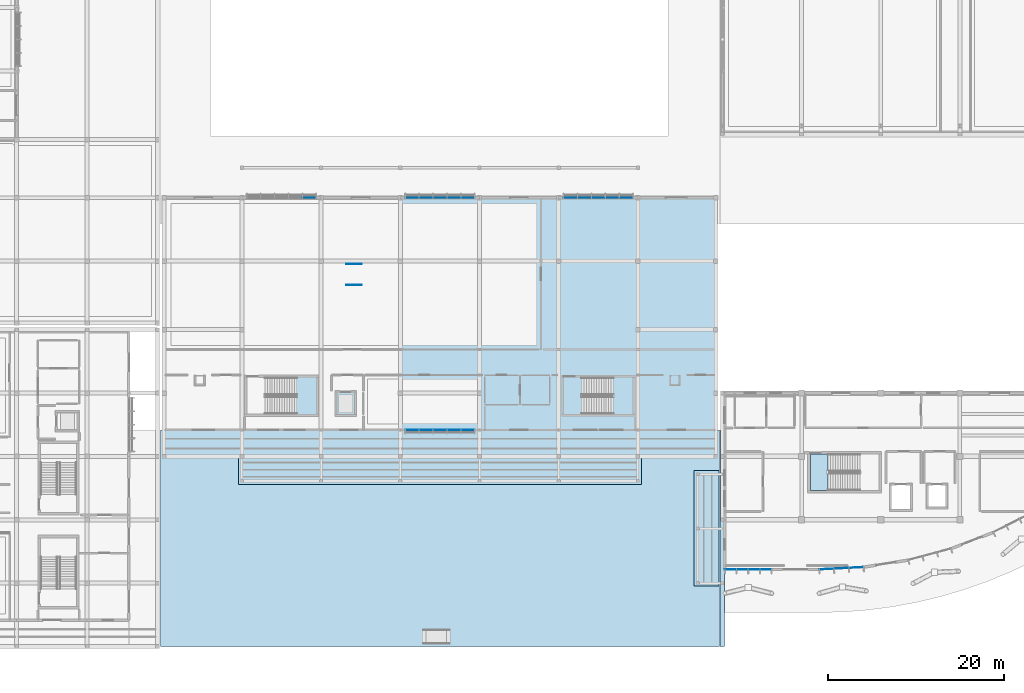
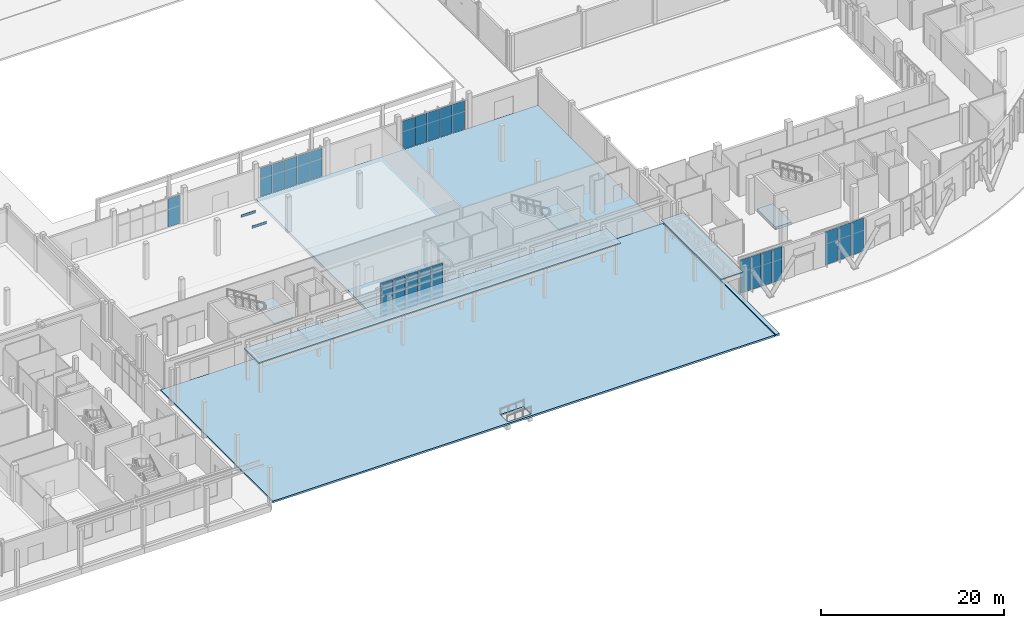
# One storey, part 107 of 151: 25 plates, 9 slabs, 8 elements without a shape of their own.
"""IFC4 building model written with IfcOpenShell, lengths in metres."""

from ifc_helpers import new_model, si_unit, direction, frame, origin, origin_2d, place, context, subcontext, project, spatial, polyline, rectangle, outline, extrude, material, layer, layer_set, type_object, element, aggregate, save


model = new_model("IFC4")

# Units and contexts
model_context = context("Model", 3, precision=1e-05, world=origin(), true_north=direction((0.0, 1.0)))
body_context = subcontext(model_context, "Body", "Model", "MODEL_VIEW")
ifc_project = project(units=[si_unit("LENGTHUNIT", "METRE"), si_unit("AREAUNIT", "SQUARE_METRE"), si_unit("VOLUMEUNIT", "CUBIC_METRE"), si_unit("PLANEANGLEUNIT", "RADIAN"), si_unit("MASSUNIT", "GRAM", prefix="KILO")], contexts=[model_context])

# Site, building, storey
site_placement = place(None, origin())
site = spatial("IfcSite", under=ifc_project, at=site_placement, CompositionType="ELEMENT")
building_placement = place(site_placement, origin())
building = spatial("IfcBuilding", under=site, at=building_placement, Name="Chiffa Square Polytechnic", CompositionType="ELEMENT")
storey_placement = place(building_placement, origin())
storey = spatial("IfcBuildingStorey", under=building, at=storey_placement, Name="L00", CompositionType="ELEMENT", Elevation=0.0)

# Curtain wall, plates
ifc_material_1 = material(Name="Aluminium EN AW-6060 T66 and glulam shading", Category="wood")
curtain_wall_type_1 = type_object("IfcCurtainWallType", Name="CW-VERT-600X380", PredefinedType="USERDEFINED", material=ifc_material_1)
curtain_wall_1_placement = place(storey_placement, origin())
curtain_wall_1 = element("IfcCurtainWall", 1, at=curtain_wall_1_placement, inside=storey, type_object=curtain_wall_type_1, Name="Curtain wall CW-V4-L00-180", ObjectType="CURTAIN WALL", PredefinedType="USERDEFINED")
ifc_material_2 = material(Name="Double glazing", Category="glass")
ifc_layer_1 = layer(ifc_material_2, 0.035888671875, Name="Double glazing")
ifc_layer_set_1 = layer_set([ifc_layer_1], Name="Double glazing")
plate_type_1 = type_object("IfcPlateType", Name="CWP-GLZ-120X145", PredefinedType="CURTAIN_PANEL", material=ifc_layer_set_1)
plate_1_placement = place(storey_placement, frame((101.257080078125, 51.0, 0.04931640625), z_axis=(0.0, 0.0, 1.0), x_axis=(-1.0, 0.0, 0.0)))
plate_1 = element("IfcPlate", 2, at=plate_1_placement, type_object=plate_type_1, Name="Glazed curtain panel CW-V4-L00-180-PN01", PredefinedType="CURTAIN_PANEL", context=body_context, shape_type="SweptSolid", body=[
    extrude(rectangle(XDim=1.510009765625, YDim=0.035888671875, at=origin_2d()), origin(), (0.0, 0.0, 1.0), 3.804931640625),
])
plate_2_placement = place(storey_placement, frame((99.68408203125, 51.0, 0.04931640625), z_axis=(0.0, 0.0, 1.0), x_axis=(-1.0, 0.0, 0.0)))
plate_2 = element("IfcPlate", 3, at=plate_2_placement, type_object=plate_type_1, Name="Glazed curtain panel CW-V4-L00-180-PN02", PredefinedType="CURTAIN_PANEL", context=body_context, shape_type="SweptSolid", body=[
    extrude(rectangle(XDim=1.531982421875, YDim=0.035888671875, at=origin_2d()), origin(), (0.0, 0.0, 1.0), 3.804931640625),
])
plate_3_placement = place(storey_placement, frame((98.10009765625, 51.0, 0.04931640625), z_axis=(0.0, 0.0, 1.0), x_axis=(-1.0, 0.0, 0.0)))
plate_3 = element("IfcPlate", 4, at=plate_3_placement, type_object=plate_type_1, Name="Glazed curtain panel CW-V4-L00-180-PN03", PredefinedType="CURTAIN_PANEL", context=body_context, shape_type="SweptSolid", body=[
    extrude(rectangle(XDim=1.531982421875, YDim=0.035888671875, at=origin_2d()), origin(), (0.0, 0.0, 1.0), 3.804931640625),
])
plate_4_placement = place(storey_placement, frame((96.51611328125, 51.0, 0.04931640625), z_axis=(0.0, 0.0, 1.0), x_axis=(-1.0, 0.0, 0.0)))
plate_4 = element("IfcPlate", 5, at=plate_4_placement, type_object=plate_type_1, Name="Glazed curtain panel CW-V4-L00-180-PN04", PredefinedType="CURTAIN_PANEL", context=body_context, shape_type="SweptSolid", body=[
    extrude(rectangle(XDim=1.531982421875, YDim=0.035888671875, at=origin_2d()), origin(), (0.0, 0.0, 1.0), 3.804931640625),
])
plate_5_placement = place(storey_placement, frame((94.943115234375, 51.0, 0.04931640625), z_axis=(0.0, 0.0, 1.0), x_axis=(-1.0, 0.0, 0.0)))
plate_5 = element("IfcPlate", 6, at=plate_5_placement, type_object=plate_type_1, Name="Glazed curtain panel CW-V4-L00-180-PN05", PredefinedType="CURTAIN_PANEL", context=body_context, shape_type="SweptSolid", body=[
    extrude(rectangle(XDim=1.510009765625, YDim=0.035888671875, at=origin_2d()), origin(), (0.0, 0.0, 1.0), 3.804931640625),
])
aggregate(curtain_wall_1, [plate_1, plate_2, plate_3, plate_4, plate_5])

curtain_wall_type_2 = type_object("IfcCurtainWallType", Name="CW-VERT-450X380", PredefinedType="USERDEFINED", material=ifc_material_1)
curtain_wall_2_placement = place(storey_placement, origin())
curtain_wall_2 = element("IfcCurtainWall", 7, at=curtain_wall_2_placement, inside=storey, type_object=curtain_wall_type_2, Name="Curtain wall CW-V1-L00-002", ObjectType="CURTAIN WALL", PredefinedType="USERDEFINED")
ifc_layer_2 = layer(ifc_material_2, 0.0400390625, Name="Double glazing")
ifc_layer_set_2 = layer_set([ifc_layer_2], Name="Double glazing")
plate_type_2 = type_object("IfcPlateType", Name="CWP-GLZ-144X134", PredefinedType="CURTAIN_PANEL", material=ifc_layer_set_2)
plate_6_placement = place(storey_placement, frame((124.05810546875, 8.794921875, 0.029541015625), z_axis=(0.0, 0.0, 1.0), x_axis=(0.99863227369, 0.052283668051, 0.0)))
plate_6 = element("IfcPlate", 8, at=plate_6_placement, type_object=plate_type_2, Name="Glazed curtain panel CW-V1-L00-002-PN01", PredefinedType="CURTAIN_PANEL", context=body_context, shape_type="SweptSolid", body=[
    extrude(rectangle(XDim=1.6220703125, YDim=0.0400390625, at=origin_2d()), origin(), (0.0, 0.0, 1.0), 4.455078125),
])
plate_7_placement = place(storey_placement, frame((125.739990234375, 8.883056640625, 0.029541015625), z_axis=(0.0, 0.0, 1.0), x_axis=(0.99863227369, 0.052283668051, 0.0)))
plate_7 = element("IfcPlate", 9, at=plate_7_placement, type_object=plate_type_2, Name="Glazed curtain panel CW-V1-L00-002-PN02", PredefinedType="CURTAIN_PANEL", context=body_context, shape_type="SweptSolid", body=[
    extrude(rectangle(XDim=1.64404296875, YDim=0.0400390625, at=origin_2d()), origin(), (0.0, 0.0, 1.0), 4.455078125),
])
plate_8_placement = place(storey_placement, frame((127.422119140625, 8.970947265625, 0.029541015625), z_axis=(0.0, 0.0, 1.0), x_axis=(0.99863227369, 0.052283668051, 0.0)))
plate_8 = element("IfcPlate", 10, at=plate_8_placement, type_object=plate_type_2, Name="Glazed curtain panel CW-V1-L00-002-PN03", PredefinedType="CURTAIN_PANEL", context=body_context, shape_type="SweptSolid", body=[
    extrude(rectangle(XDim=1.6220703125, YDim=0.0400390625, at=origin_2d()), origin(), (0.0, 0.0, 1.0), 4.455078125),
])
aggregate(curtain_wall_2, [plate_6, plate_7, plate_8])

curtain_wall_type_3 = type_object("IfcCurtainWallType", Name="CW-VERT-600X440", PredefinedType="USERDEFINED", material=ifc_material_1)
curtain_wall_3_placement = place(storey_placement, origin())
curtain_wall_3 = element("IfcCurtainWall", 11, at=curtain_wall_3_placement, inside=storey, type_object=curtain_wall_type_3, Name="Curtain wall CW-V1-L00-001", ObjectType="CURTAIN WALL", PredefinedType="USERDEFINED")
ifc_layer_3 = layer(ifc_material_2, 0.0380859375, Name="Double glazing")
ifc_layer_set_3 = layer_set([ifc_layer_3], Name="Double glazing")
plate_type_3 = type_object("IfcPlateType", Name="CWP-GLZ-146X138", PredefinedType="CURTAIN_PANEL", material=ifc_layer_set_3)
plate_9_placement = place(storey_placement, frame((113.133056640625, 8.75, 0.029541015625), z_axis=(0.0, 0.0, 1.0), x_axis=(1.0, 0.0, 0.0)))
plate_9 = element("IfcPlate", 12, at=plate_9_placement, type_object=plate_type_3, Name="Glazed curtain panel CW-V1-L00-001-PN01", PredefinedType="CURTAIN_PANEL", context=body_context, shape_type="SweptSolid", body=[
    extrude(rectangle(XDim=1.27001953125, YDim=0.0380859375, at=origin_2d()), origin(), (0.0, 0.0, 1.0), 4.455078125),
])
plate_10_placement = place(storey_placement, frame((114.466064453125, 8.75, 0.029541015625), z_axis=(0.0, 0.0, 1.0), x_axis=(1.0, 0.0, 0.0)))
plate_10 = element("IfcPlate", 13, at=plate_10_placement, type_object=plate_type_3, Name="Glazed curtain panel CW-V1-L00-001-PN02", PredefinedType="CURTAIN_PANEL", context=body_context, shape_type="SweptSolid", body=[
    extrude(rectangle(XDim=1.2919921875, YDim=0.0380859375, at=origin_2d()), origin(), (0.0, 0.0, 1.0), 4.455078125),
])
plate_11_placement = place(storey_placement, frame((115.80908203125, 8.75, 0.029541015625), z_axis=(0.0, 0.0, 1.0), x_axis=(1.0, 0.0, 0.0)))
plate_11 = element("IfcPlate", 14, at=plate_11_placement, type_object=plate_type_3, Name="Glazed curtain panel CW-V1-L00-001-PN03", PredefinedType="CURTAIN_PANEL", context=body_context, shape_type="SweptSolid", body=[
    extrude(rectangle(XDim=1.2919921875, YDim=0.0380859375, at=origin_2d()), origin(), (0.0, 0.0, 1.0), 4.455078125),
])
plate_12_placement = place(storey_placement, frame((117.14208984375, 8.75, 0.029541015625), z_axis=(0.0, 0.0, 1.0), x_axis=(1.0, 0.0, 0.0)))
plate_12 = element("IfcPlate", 15, at=plate_12_placement, type_object=plate_type_3, Name="Glazed curtain panel CW-V1-L00-001-PN04", PredefinedType="CURTAIN_PANEL", context=body_context, shape_type="SweptSolid", body=[
    extrude(rectangle(XDim=1.27001953125, YDim=0.0380859375, at=origin_2d()), origin(), (0.0, 0.0, 1.0), 4.455078125),
])
aggregate(curtain_wall_3, [plate_9, plate_10, plate_11, plate_12])

# Curtain wall, plate
curtain_wall_type_4 = type_object("IfcCurtainWallType", Name="CW-VERT-480X380", PredefinedType="USERDEFINED", material=ifc_material_1)
curtain_wall_4_placement = place(storey_placement, origin())
curtain_wall_4 = element("IfcCurtainWall", 16, at=curtain_wall_4_placement, inside=storey, type_object=curtain_wall_type_4, Name="Curtain wall CW-V4-L00-182", ObjectType="CURTAIN WALL", PredefinedType="USERDEFINED")
ifc_layer_4 = layer(ifc_material_2, 0.0380859375, Name="Double glazing")
ifc_layer_set_4 = layer_set([ifc_layer_4], Name="Double glazing")
plate_type_4 = type_object("IfcPlateType", Name="CWP-GLZ-148X142", PredefinedType="CURTAIN_PANEL", material=ifc_layer_set_4)
plate_13_placement = place(storey_placement, frame((65.257080078125, 51.0, 0.04931640625), z_axis=(0.0, 0.0, 1.0), x_axis=(-1.0, 0.0, 0.0)))
plate_13 = element("IfcPlate", 17, at=plate_13_placement, type_object=plate_type_4, Name="Glazed curtain panel CW-V4-L00-182-PN01", PredefinedType="CURTAIN_PANEL", context=body_context, shape_type="SweptSolid", body=[
    extrude(rectangle(XDim=1.510009765625, YDim=0.0380859375, at=origin_2d()), origin(), (0.0, 0.0, 1.0), 3.804931640625),
])
aggregate(curtain_wall_4, [plate_13])

# Curtain wall, plates
curtain_wall_type_5 = type_object("IfcCurtainWallType", Name="CW-VERT-300X380", PredefinedType="USERDEFINED", material=ifc_material_1)
curtain_wall_5_placement = place(storey_placement, origin())
curtain_wall_5 = element("IfcCurtainWall", 18, at=curtain_wall_5_placement, inside=storey, type_object=curtain_wall_type_5, Name="Curtain wall CW-V4-L00-179", ObjectType="CURTAIN WALL", PredefinedType="USERDEFINED")
ifc_layer_5 = layer(ifc_material_2, 0.035888671875, Name="Double glazing")
ifc_layer_set_5 = layer_set([ifc_layer_5], Name="Double glazing")
plate_type_5 = type_object("IfcPlateType", Name="CWP-GLZ-150X125", PredefinedType="CURTAIN_PANEL", material=ifc_layer_set_5)
plate_14_placement = place(storey_placement, frame((76.943115234375, 24.60009765625, 0.050048828125), z_axis=(0.0, 0.0, 1.0), x_axis=(1.0, 0.0, 0.0)))
plate_14 = element("IfcPlate", 19, at=plate_14_placement, type_object=plate_type_5, Name="Glazed curtain panel CW-V4-L00-179-PN01", PredefinedType="CURTAIN_PANEL", context=body_context, shape_type="SweptSolid", body=[
    extrude(rectangle(XDim=1.510009765625, YDim=0.035888671875, at=origin_2d()), origin(), (0.0, 0.0, 1.0), 4.419921875),
])
plate_15_placement = place(storey_placement, frame((78.51611328125, 24.60009765625, 0.050048828125), z_axis=(0.0, 0.0, 1.0), x_axis=(1.0, 0.0, 0.0)))
plate_15 = element("IfcPlate", 20, at=plate_15_placement, type_object=plate_type_5, Name="Glazed curtain panel CW-V4-L00-179-PN02", PredefinedType="CURTAIN_PANEL", context=body_context, shape_type="SweptSolid", body=[
    extrude(rectangle(XDim=1.531982421875, YDim=0.035888671875, at=origin_2d()), origin(), (0.0, 0.0, 1.0), 4.419921875),
])
plate_16_placement = place(storey_placement, frame((80.10009765625, 24.60009765625, 0.050048828125), z_axis=(0.0, 0.0, 1.0), x_axis=(1.0, 0.0, 0.0)))
plate_16 = element("IfcPlate", 21, at=plate_16_placement, type_object=plate_type_5, Name="Glazed curtain panel CW-V4-L00-179-PN03", PredefinedType="CURTAIN_PANEL", context=body_context, shape_type="SweptSolid", body=[
    extrude(rectangle(XDim=1.531982421875, YDim=0.035888671875, at=origin_2d()), origin(), (0.0, 0.0, 1.0), 4.419921875),
])
plate_17_placement = place(storey_placement, frame((81.68408203125, 24.60009765625, 0.050048828125), z_axis=(0.0, 0.0, 1.0), x_axis=(1.0, 0.0, 0.0)))
plate_17 = element("IfcPlate", 22, at=plate_17_placement, type_object=plate_type_5, Name="Glazed curtain panel CW-V4-L00-179-PN04", PredefinedType="CURTAIN_PANEL", context=body_context, shape_type="SweptSolid", body=[
    extrude(rectangle(XDim=1.531982421875, YDim=0.035888671875, at=origin_2d()), origin(), (0.0, 0.0, 1.0), 4.419921875),
])
plate_18_placement = place(storey_placement, frame((83.257080078125, 24.60009765625, 0.050048828125), z_axis=(0.0, 0.0, 1.0), x_axis=(1.0, 0.0, 0.0)))
plate_18 = element("IfcPlate", 23, at=plate_18_placement, type_object=plate_type_5, Name="Glazed curtain panel CW-V4-L00-179-PN05", PredefinedType="CURTAIN_PANEL", context=body_context, shape_type="SweptSolid", body=[
    extrude(rectangle(XDim=1.510009765625, YDim=0.035888671875, at=origin_2d()), origin(), (0.0, 0.0, 1.0), 4.419921875),
])
aggregate(curtain_wall_5, [plate_14, plate_15, plate_16, plate_17, plate_18])

curtain_wall_type_6 = type_object("IfcCurtainWallType", Name="CW-VERT-360X380", PredefinedType="USERDEFINED", material=ifc_material_1)
curtain_wall_6_placement = place(storey_placement, origin())
curtain_wall_6 = element("IfcCurtainWall", 24, at=curtain_wall_6_placement, inside=storey, type_object=curtain_wall_type_6, Name="Curtain wall CW-V4-L00-181", ObjectType="CURTAIN WALL", PredefinedType="USERDEFINED")
ifc_layer_6 = layer(ifc_material_2, 0.035888671875, Name="Double glazing")
ifc_layer_set_6 = layer_set([ifc_layer_6], Name="Double glazing")
plate_type_6 = type_object("IfcPlateType", Name="CWP-GLZ-180X140", PredefinedType="CURTAIN_PANEL", material=ifc_layer_set_6)
plate_19_placement = place(storey_placement, frame((83.257080078125, 51.0, 0.04931640625), z_axis=(0.0, 0.0, 1.0), x_axis=(-1.0, 0.0, 0.0)))
plate_19 = element("IfcPlate", 25, at=plate_19_placement, type_object=plate_type_6, Name="Glazed curtain panel CW-V4-L00-181-PN01", PredefinedType="CURTAIN_PANEL", context=body_context, shape_type="SweptSolid", body=[
    extrude(rectangle(XDim=1.510009765625, YDim=0.035888671875, at=origin_2d()), origin(), (0.0, 0.0, 1.0), 3.804931640625),
])
plate_20_placement = place(storey_placement, frame((81.68408203125, 51.0, 0.04931640625), z_axis=(0.0, 0.0, 1.0), x_axis=(-1.0, 0.0, 0.0)))
plate_20 = element("IfcPlate", 26, at=plate_20_placement, type_object=plate_type_6, Name="Glazed curtain panel CW-V4-L00-181-PN02", PredefinedType="CURTAIN_PANEL", context=body_context, shape_type="SweptSolid", body=[
    extrude(rectangle(XDim=1.531982421875, YDim=0.035888671875, at=origin_2d()), origin(), (0.0, 0.0, 1.0), 3.804931640625),
])
plate_21_placement = place(storey_placement, frame((80.10009765625, 51.0, 0.04931640625), z_axis=(0.0, 0.0, 1.0), x_axis=(-1.0, 0.0, 0.0)))
plate_21 = element("IfcPlate", 27, at=plate_21_placement, type_object=plate_type_6, Name="Glazed curtain panel CW-V4-L00-181-PN03", PredefinedType="CURTAIN_PANEL", context=body_context, shape_type="SweptSolid", body=[
    extrude(rectangle(XDim=1.531982421875, YDim=0.035888671875, at=origin_2d()), origin(), (0.0, 0.0, 1.0), 3.804931640625),
])
plate_22_placement = place(storey_placement, frame((78.51611328125, 51.0, 0.04931640625), z_axis=(0.0, 0.0, 1.0), x_axis=(-1.0, 0.0, 0.0)))
plate_22 = element("IfcPlate", 28, at=plate_22_placement, type_object=plate_type_6, Name="Glazed curtain panel CW-V4-L00-181-PN04", PredefinedType="CURTAIN_PANEL", context=body_context, shape_type="SweptSolid", body=[
    extrude(rectangle(XDim=1.531982421875, YDim=0.035888671875, at=origin_2d()), origin(), (0.0, 0.0, 1.0), 3.804931640625),
])
plate_23_placement = place(storey_placement, frame((76.943115234375, 51.0, 0.04931640625), z_axis=(0.0, 0.0, 1.0), x_axis=(-1.0, 0.0, 0.0)))
plate_23 = element("IfcPlate", 29, at=plate_23_placement, type_object=plate_type_6, Name="Glazed curtain panel CW-V4-L00-181-PN05", PredefinedType="CURTAIN_PANEL", context=body_context, shape_type="SweptSolid", body=[
    extrude(rectangle(XDim=1.510009765625, YDim=0.035888671875, at=origin_2d()), origin(), (0.0, 0.0, 1.0), 3.804931640625),
])
aggregate(curtain_wall_6, [plate_19, plate_20, plate_21, plate_22, plate_23])

# Plates
ifc_material_3 = material(Name="Glulam GL28h", Category="wood")
ifc_layer_7 = layer(ifc_material_3, 0.320068359375, Name="Glulam GL28h")
ifc_layer_set_7 = layer_set([ifc_layer_7], Name="Glulam GL28h")
plate_type_7 = type_object("IfcPlateType", Name="PLT-BAFFLE-1800", PredefinedType="USERDEFINED", material=ifc_layer_set_7)
for number, where, z_axis, x_axis, name in (
    (30, (70.3349609375, 41.06494140625, 4.2021484375), (0.0, 0.0, 1.0), (1.0, 0.0, 0.0), "Acoustic timber ceiling baffle AB-V4-L00-005"),
    (31, (70.3349609375, 43.465087890625, 4.2021484375), (0.0, 0.0, 1.0), (1.0, 0.0, 0.0), "Acoustic timber ceiling baffle AB-V4-L00-006"),
):
    element("IfcPlate", number, at=place(storey_placement, frame(where, z_axis=z_axis, x_axis=x_axis)), inside=storey, type_object=plate_type_7, Name=name, ObjectType="ACOUSTIC BAFFLE", PredefinedType="USERDEFINED", context=body_context, shape_type="SweptSolid", body=[
        extrude(rectangle(XDim=1.800048828125, YDim=0.050048828125, at=origin_2d()), origin(), (0.0, 0.0, 1.0), 0.320068359375),
    ])

# Slabs
ifc_material_4 = material(Name="Limestone paving on compacted sub-base", Category="masonry")
ifc_layer_8 = layer(ifc_material_4, 0.239990234375, Name="Limestone paving on compacted sub-base")
ifc_layer_set_8 = layer_set([ifc_layer_8], Name="Limestone paving on compacted sub-base")
slab_type_1 = type_object("IfcSlabType", Name="SLB-APRON-BASE-240", PredefinedType="FLOOR", material=ifc_layer_set_8)
slab_1_placement = place(storey_placement, frame((0.0, 0.0, -0.239990234375)))
element("IfcSlab", 32, at=slab_1_placement, inside=storey, type_object=slab_type_1, Name="Chiffa Civic Square stone colonnade plaza SLB-APRON-SQUARE-2", PredefinedType="FLOOR", context=body_context, shape_type="SweptSolid", body=[
    extrude(outline(polyline([(111.85009765625, 0.0), (48.35009765625, 0.0), (48.35009765625, 24.60009765625), (48.8349609375, 24.60009765625), (48.839111328125, 24.589111328125), (48.85009765625, 24.5849609375), (111.35009765625, 24.5849609375), (111.361083984375, 24.589111328125), (111.364990234375, 24.60009765625), (111.85009765625, 24.60009765625), (111.85009765625, 0.0)]), holes=[polyline([(78.199951171875, 1.89990234375), (78.199951171875, 0.300048828125), (81.199951171875, 0.300048828125), (81.199951171875, 1.89990234375), (78.199951171875, 1.89990234375)])]), origin(), (0.0, 0.0, 1.0), 0.239990234375),
])
slab_2_placement = place(storey_placement, frame((0.0, 0.0, -0.239990234375)))
element("IfcSlab", 33, at=slab_2_placement, inside=storey, type_object=slab_type_1, Name="Chiffa Civic Square stone colonnade plaza SLB-APRON-SQUARE-3", PredefinedType="FLOOR", context=body_context, shape_type="SweptSolid", body=[
    extrude(outline(polyline([(112.449951171875, 0.0), (111.949951171875, 0.0), (111.949951171875, 24.60009765625), (112.43505859375, 24.60009765625), (112.43505859375, 8.75), (112.43896484375, 8.739013671875), (112.449951171875, 8.735107421875), (112.449951171875, 0.0)])), origin(), (0.0, 0.0, 1.0), 0.239990234375),
])
ifc_material_5 = material(Name="Concrete C35/45", Category="concrete")
ifc_layer_9 = layer(ifc_material_5, 0.39990234375, Name="Concrete C35/45")
ifc_layer_set_9 = layer_set([ifc_layer_9], Name="Concrete C35/45")
slab_type_2 = type_object("IfcSlabType", Name="SLB-BASE-400", PredefinedType="BASESLAB", material=ifc_layer_set_9)
slab_3_placement = place(storey_placement, frame((0.0, 0.0, -0.39990234375)))
element("IfcSlab", 34, at=slab_3_placement, inside=storey, type_object=slab_type_2, Name="V4 L00 structural slab SLB-V4-L00-015", PredefinedType="BASESLAB", context=body_context, shape_type="SweptSolid", body=[
    extrude(outline(polyline([(111.35009765625, 51.0), (111.35009765625, 24.60009765625), (75.60009765625, 24.60009765625), (75.60009765625, 51.0), (111.35009765625, 51.0)])), origin(), (0.0, 0.0, 1.0), 0.39990234375),
])
slab_4_placement = place(storey_placement, frame((0.0, 0.0, -1.800048828125)))
element("IfcSlab", 35, at=slab_4_placement, inside=storey, type_object=slab_type_2, Name="Lift pit base slab LP-V4", PredefinedType="BASESLAB", context=body_context, shape_type="SweptSolid", body=[
    extrude(outline(polyline([(68.199951171875, 26.14990234375), (70.60009765625, 26.14990234375), (70.60009765625, 29.050048828125), (68.199951171875, 29.050048828125), (68.199951171875, 26.14990234375)])), origin(), (0.0, 0.0, 1.0), 0.400146484375),
])
ifc_material_6 = material(Name="Concrete C40/50", Category="concrete")
ifc_layer_10 = layer(ifc_material_6, 0.35009765625, Name="Concrete C40/50")
ifc_layer_set_10 = layer_set([ifc_layer_10], Name="Concrete C40/50")
slab_type_3 = type_object("IfcSlabType", Name="SLB-FLR-350", PredefinedType="FLOOR", material=ifc_layer_set_10)
slab_5_placement = place(storey_placement, frame((0.0, 0.0, -0.35009765625)))
element("IfcSlab", 36, at=slab_5_placement, inside=storey, type_object=slab_type_3, Name="Stair core floor landing slab SLB-CORE-CORE-V1A-L00", PredefinedType="FLOOR", context=body_context, shape_type="SweptSolid", body=[
    extrude(outline(polyline([(122.199951171875, 17.75), (124.2119140625, 17.75), (124.2119140625, 21.85009765625), (122.199951171875, 21.85009765625), (122.199951171875, 17.75)])), origin(), (0.0, 0.0, 1.0), 0.35009765625),
])

# Stair, slab
stair_type = type_object("IfcStairType", Name="STAIR-DOG-1950", PredefinedType="HALF_TURN_STAIR", material=ifc_material_5)
stair_1_placement = place(storey_placement, origin())
stair_1 = element("IfcStair", 37, at=stair_1_placement, inside=storey, type_object=stair_type, Name="L00 Enclosed exit stair ST-V4A", PredefinedType="HALF_TURN_STAIR")
ifc_layer_11 = layer(ifc_material_5, 0.199951171875, Name="Concrete C35/45")
ifc_layer_set_11 = layer_set([ifc_layer_11], Name="Concrete C35/45")
slab_type_4 = type_object("IfcSlabType", Name="SLB-LND-200", PredefinedType="LANDING", material=ifc_layer_set_11)
slab_6_placement = place(storey_placement, frame((0.0, 0.0, 2.199951171875)))
slab_6 = element("IfcSlab", 38, at=slab_6_placement, type_object=slab_type_4, Name="ST-V4A landing 1", PredefinedType="LANDING", context=body_context, shape_type="SweptSolid", body=[
    extrude(outline(polyline([(63.719970703125, 26.330078125), (63.719970703125, 30.669921875), (66.1201171875, 30.669921875), (66.1201171875, 26.330078125), (63.719970703125, 26.330078125)])), origin(), (0.0, 0.0, 1.0), 0.199951171875),
])
aggregate(stair_1, [slab_6])

stair_2_placement = place(storey_placement, origin())
stair_2 = element("IfcStair", 39, at=stair_2_placement, inside=storey, type_object=stair_type, Name="L00 Enclosed exit stair ST-V4B", PredefinedType="HALF_TURN_STAIR")
slab_7_placement = place(storey_placement, frame((0.0, 0.0, 2.199951171875)))
slab_7 = element("IfcSlab", 40, at=slab_7_placement, type_object=slab_type_4, Name="ST-V4B landing 1", PredefinedType="LANDING", context=body_context, shape_type="SweptSolid", body=[
    extrude(outline(polyline([(99.719970703125, 26.330078125), (99.719970703125, 30.669921875), (102.1201171875, 30.669921875), (102.1201171875, 26.330078125), (99.719970703125, 26.330078125)])), origin(), (0.0, 0.0, 1.0), 0.199951171875),
])
aggregate(stair_2, [slab_7])

# Slabs
ifc_material_7 = material(Name="CLT C24", Category="wood")
ifc_layer_12 = layer(ifc_material_7, 0.159912109375, Name="CLT C24")
ifc_layer_set_12 = layer_set([ifc_layer_12], Name="CLT C24")
slab_type_5 = type_object("IfcSlabType", Name="SLB-ROOF-160", PredefinedType="ROOF", material=ifc_layer_set_12)
slab_8_placement = place(storey_placement, frame((0.0, 0.0, 4.10009765625)))
element("IfcSlab", 41, at=slab_8_placement, inside=storey, type_object=slab_type_5, Name="Chiffa Square north colonnade timber canopy SLB-ROOF-SQ-NORTH", PredefinedType="ROOF", context=body_context, shape_type="SweptSolid", body=[
    extrude(outline(polyline([(57.199951171875, 18.39990234375), (103.0, 18.39990234375), (103.0, 21.60009765625), (57.199951171875, 21.60009765625), (57.199951171875, 18.39990234375)])), origin(), (0.0, 0.0, 1.0), 0.159912109375),
])
slab_9_placement = place(storey_placement, frame((0.0, 0.0, 4.10009765625)))
element("IfcSlab", 42, at=slab_9_placement, inside=storey, type_object=slab_type_5, Name="Chiffa Square east colonnade timber canopy SLB-ROOF-SQ-EAST", PredefinedType="ROOF", context=body_context, shape_type="SweptSolid", body=[
    extrude(outline(polyline([(109.0, 6.89990234375), (111.800048828125, 6.89990234375), (111.800048828125, 20.0), (109.0, 20.0), (109.0, 6.89990234375)])), origin(), (0.0, 0.0, 1.0), 0.159912109375),
])

save(model, "model.ifc")
